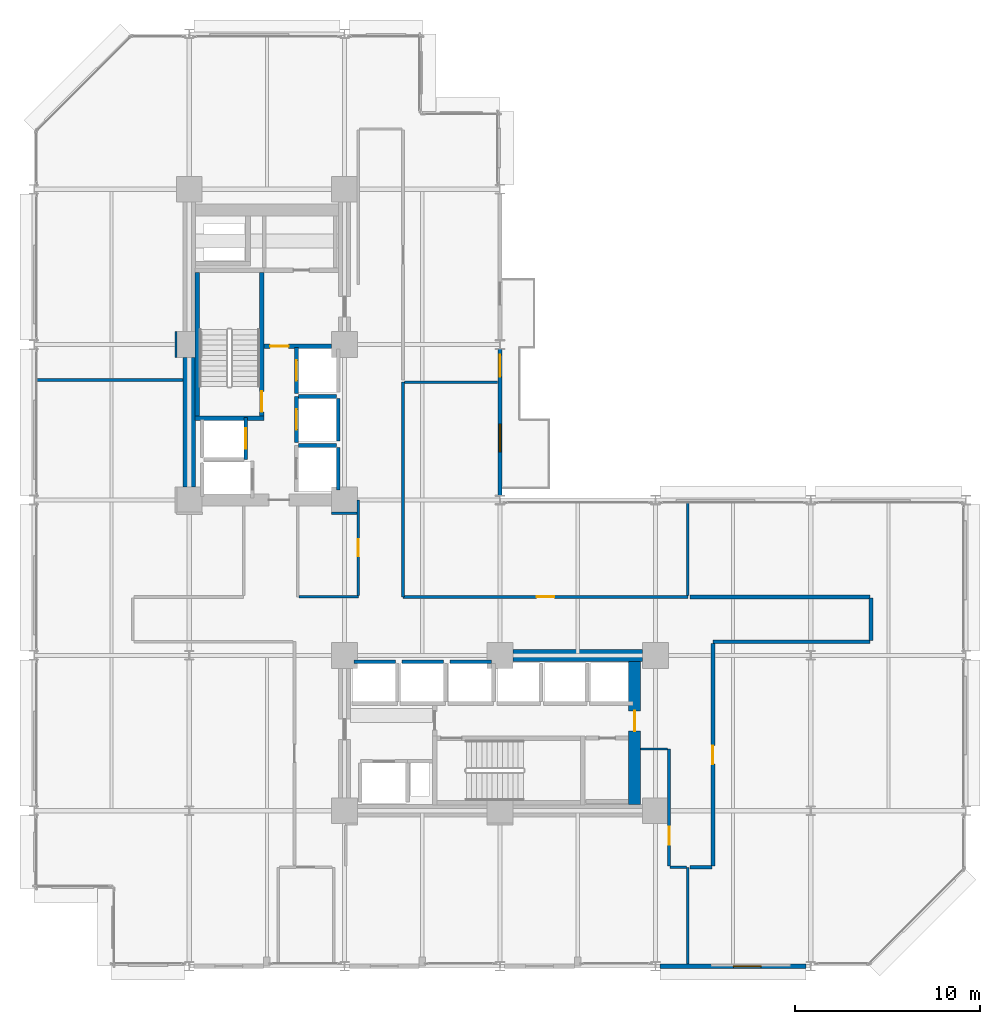
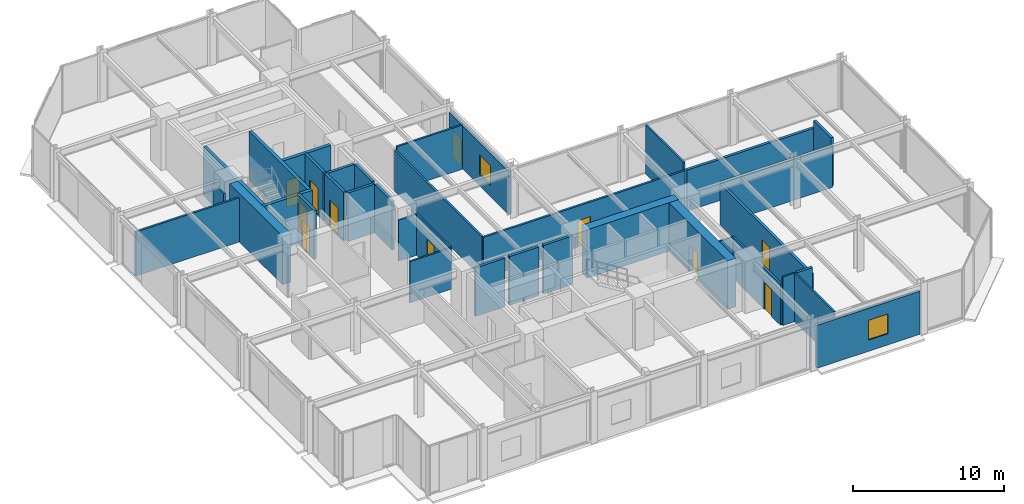
# One storey, part 21 of 25: 37 walls, 11 doors, 2 windows, 13 openings.
"""IFC4 building model written with IfcOpenShell, lengths in metres."""

from ifc_helpers import new_model, si_unit, direction, frame, frame_2d, origin, place, context, subcontext, project, spatial, rectangle, extrude, material, layer, layer_set, type_object, element, fill, save


model = new_model("IFC4")

# Units and contexts
model_context = context("Model", 3, precision=1e-05, world=origin(), true_north=direction((0.0, 1.0)))
body_context = subcontext(model_context, "Body", "Model", "MODEL_VIEW")
ifc_project = project(units=[si_unit("LENGTHUNIT", "METRE"), si_unit("AREAUNIT", "SQUARE_METRE"), si_unit("VOLUMEUNIT", "CUBIC_METRE"), si_unit("PLANEANGLEUNIT", "RADIAN"), si_unit("MASSUNIT", "GRAM", prefix="KILO")], contexts=[model_context])

# Site, building, storey
site_placement = place(None, origin())
site = spatial("IfcSite", under=ifc_project, at=site_placement, CompositionType="ELEMENT")
building_placement = place(site_placement, origin())
building = spatial("IfcBuilding", under=site, at=building_placement, Name="Nerrivon Quay Data Exchange", CompositionType="ELEMENT")
storey_placement = place(building_placement, frame((0.0, 0.0, 29.0)))
storey = spatial("IfcBuildingStorey", under=building, at=storey_placement, Name="L06", CompositionType="ELEMENT", Elevation=29.0)

# Wall, opening, window
ifc_material_1 = material(Name="Architectural terracotta precast concrete N50 (50 MPa)", Category="masonry")
ifc_layer_1 = layer(ifc_material_1, 0.239990234375)
ifc_layer_set_1 = layer_set([ifc_layer_1], Name="Architectural terracotta precast concrete N50 (50 MPa)")
wall_type_1 = type_object("IfcWallType", Name="EW-PREC-240", PredefinedType="STANDARD", material=ifc_layer_set_1)
wall_1_placement = place(storey_placement, frame((41.75, 0.0, 0.0), z_axis=(0.0, 0.0, 1.0), x_axis=(-1.0, 0.0, 0.0)))
wall_1 = element("IfcWall", 1, at=wall_1_placement, inside=storey, type_object=wall_type_1, Name="L06 Podium Precast Spandrel Wall 3", PredefinedType="STANDARD", context=body_context, shape_type="SweptSolid", body=[
    extrude(rectangle(XDim=7.89990234375, YDim=0.239990234375, at=frame_2d((3.949951171875, 0.0))), origin(), (0.0, 0.0, 1.0), 3.470947265625),
])
opening_1_placement = place(wall_1_placement, frame((2.4296875, 0.0, 0.89990234375)))
opening_1 = element("IfcOpeningElement", 2, at=opening_1_placement, cuts=wall_1, Name="Opening WN4", PredefinedType="OPENING", context=body_context, shape_type="SweptSolid", body=[
    extrude(rectangle(XDim=1.5, YDim=1.60009765625, at=frame_2d((0.75, 0.800048828125))), frame((0.0, 0.1298828125, 0.0), z_axis=(0.0, -1.0, 0.0), x_axis=(1.0, 0.0, 0.0)), (0.0, 0.0, 1.0), 0.260009765625),
])
ifc_material_2 = material(Name="Double-glazed low-E solar control glass", Category="glass")
window_type = type_object("IfcWindowType", Name="WIN-W4-1500x1600", PartitioningType="SINGLE_PANEL", PredefinedType="WINDOW", material=ifc_material_2)
window_1_placement = place(opening_1_placement, origin())
window_1 = element("IfcWindow", 3, at=window_1_placement, inside=storey, type_object=window_type, Name="L06 Solar Facade Window 3", OverallHeight=1.60009765625, OverallWidth=1.5, PartitioningType="SINGLE_PANEL", PredefinedType="WINDOW", context=body_context, shape_type="SweptSolid", body=[
    extrude(rectangle(XDim=1.5, YDim=1.60009765625, at=frame_2d((0.75, 0.800048828125))), frame((0.0, 0.030029296875, 0.0), z_axis=(0.0, -1.0, 0.0), x_axis=(1.0, 0.0, 0.0)), (0.0, 0.0, 1.0), 0.06005859375),
])
fill(opening_1, window_1)

# Wall, openings, door, window
wall_2_placement = place(storey_placement, frame((25.199951171875, 33.35009765625, 0.0), z_axis=(0.0, 0.0, 1.0), x_axis=(0.0, -1.0, 0.0)))
wall_2 = element("IfcWall", 4, at=wall_2_placement, inside=storey, type_object=wall_type_1, Name="L06 Terrace Host Wall 27", PredefinedType="STANDARD", context=body_context, shape_type="SweptSolid", body=[
    extrude(rectangle(XDim=7.900146484375, YDim=0.239990234375, at=frame_2d((3.9501953125, 0.0))), origin(), (0.0, 0.0, 1.0), 3.470947265625),
])
opening_2_placement = place(wall_2_placement, frame((0.300048828125, 0.0, 0.0)))
opening_2 = element("IfcOpeningElement", 5, at=opening_2_placement, cuts=wall_2, Name="Opening TD1", PredefinedType="OPENING", context=body_context, shape_type="SweptSolid", body=[
    extrude(rectangle(XDim=1.199951171875, YDim=2.199951171875, at=frame_2d((0.60009765625, 1.10009765625))), frame((0.0, 0.1298828125, 0.0), z_axis=(0.0, -1.0, 0.0), x_axis=(1.0, 0.0, 0.0)), (0.0, 0.0, 1.0), 0.260009765625),
])
opening_3_placement = place(wall_2_placement, frame((4.043701171875, 0.0, 0.89990234375)))
opening_3 = element("IfcOpeningElement", 6, at=opening_3_placement, cuts=wall_2, Name="Opening WN4", PredefinedType="OPENING", context=body_context, shape_type="SweptSolid", body=[
    extrude(rectangle(XDim=1.5, YDim=1.60009765625, at=frame_2d((0.75, 0.800048828125))), frame((0.0, 0.1298828125, 0.0), z_axis=(0.0, -1.0, 0.0), x_axis=(1.0, 0.0, 0.0)), (0.0, 0.0, 1.0), 0.260009765625),
])
door_type_1 = type_object("IfcDoorType", Name="DR-TERR-1200x2200", OperationType="NOTDEFINED", PredefinedType="DOOR", material=ifc_material_2)
door_1_placement = place(opening_2_placement, origin())
door_1 = element("IfcDoor", 7, at=door_1_placement, inside=storey, type_object=door_type_1, Name="L06 Outdoor Terrace Access Door 27", OperationType="SINGLE_SWING_RIGHT", OverallHeight=2.199951171875, OverallWidth=1.199951171875, PredefinedType="DOOR", context=body_context, shape_type="SweptSolid", body=[
    extrude(rectangle(XDim=1.199951171875, YDim=2.199951171875, at=frame_2d((0.60009765625, 1.10009765625))), frame((0.0, 0.02490234375, 0.0), z_axis=(0.0, -1.0, 0.0), x_axis=(1.0, 0.0, 0.0)), (0.0, 0.0, 1.0), 0.050048828125),
])
fill(opening_2, door_1)
window_2_placement = place(opening_3_placement, origin())
window_2 = element("IfcWindow", 8, at=window_2_placement, inside=storey, type_object=window_type, Name="L06 Terrace Side Window 27", OverallHeight=1.60009765625, OverallWidth=1.5, PartitioningType="SINGLE_PANEL", PredefinedType="WINDOW", context=body_context, shape_type="SweptSolid", body=[
    extrude(rectangle(XDim=1.5, YDim=1.60009765625, at=frame_2d((0.75, 0.800048828125))), frame((0.0, 0.030029296875, 0.0), z_axis=(0.0, -1.0, 0.0), x_axis=(1.0, 0.0, 0.0)), (0.0, 0.0, 1.0), 0.06005859375),
])
fill(opening_3, window_2)

# Wall
ifc_material_3 = material(Name="Concrete N80 (80 MPa)", Category="concrete")
ifc_layer_2 = layer(ifc_material_3, 0.64990234375)
ifc_layer_set_2 = layer_set([ifc_layer_2], Name="Concrete N80 (80 MPa)")
wall_type_2 = type_object("IfcWallType", Name="WALL-CW-850", PredefinedType="SHEAR", material=ifc_layer_set_2)
wall_3_placement = place(storey_placement, frame((8.39990234375, 25.89990234375, 0.0), z_axis=(0.0, 0.0, 1.0), x_axis=(0.0, 1.0, 0.0)))
element("IfcWall", 9, at=wall_3_placement, inside=storey, type_object=wall_type_2, Name="L06 West Split-Core Shear Wall WCW-W1", PredefinedType="SHEAR", context=body_context, shape_type="SweptSolid", body=[
    extrude(rectangle(XDim=7.0, YDim=0.64990234375, at=frame_2d((3.5, 0.0))), origin(), (0.0, 0.0, 1.0), 3.925048828125),
])

# Wall, opening, door
wall_4_placement = place(storey_placement, frame((32.47509765625, 8.72509765625, 0.0), z_axis=(0.0, 0.0, 1.0), x_axis=(0.0, 1.0, 0.0)))
wall_4 = element("IfcWall", 10, at=wall_4_placement, inside=storey, type_object=wall_type_2, Name="L06 East Split-Core Shear Wall ECW-E1", PredefinedType="SHEAR", context=body_context, shape_type="SweptSolid", body=[
    extrude(rectangle(XDim=7.75, YDim=0.64990234375, at=frame_2d((3.875, 0.0))), origin(), (0.0, 0.0, 1.0), 3.925048828125),
])
opening_4_placement = place(wall_4_placement, frame((3.97509765625, 0.0, 0.0)))
opening_4 = element("IfcOpeningElement", 11, at=opening_4_placement, cuts=wall_4, Name="Opening FD-120", PredefinedType="OPENING", context=body_context, shape_type="SweptSolid", body=[
    extrude(rectangle(XDim=1.10009765625, YDim=2.14990234375, at=frame_2d((0.550048828125, 1.074951171875))), frame((0.0, 0.3349609375, 0.0), z_axis=(0.0, -1.0, 0.0), x_axis=(1.0, 0.0, 0.0)), (0.0, 0.0, 1.0), 0.669921875),
])
ifc_material_4 = material(Name="Powder-coated galvanized steel sheet", Category="steel")
door_type_2 = type_object("IfcDoorType", Name="DR-FD120-1100", OperationType="NOTDEFINED", PredefinedType="DOOR", material=ifc_material_4)
door_2_placement = place(opening_4_placement, origin())
door_2 = element("IfcDoor", 12, at=door_2_placement, inside=storey, type_object=door_type_2, Name="L06 East Core Lobby Fire Door", OperationType="SINGLE_SWING_LEFT", OverallHeight=2.14990234375, OverallWidth=1.10009765625, PredefinedType="DOOR", context=body_context, shape_type="SweptSolid", body=[
    extrude(rectangle(XDim=1.10009765625, YDim=2.14990234375, at=frame_2d((0.550048828125, 1.074951171875))), frame((0.0, 0.02490234375, 0.0), z_axis=(0.0, -1.0, 0.0), x_axis=(1.0, 0.0, 0.0)), (0.0, 0.0, 1.0), 0.050048828125),
])
fill(opening_4, door_2)

# Wall
wall_5_placement = place(storey_placement, frame((25.89990234375, 16.800048828125, 0.0), z_axis=(0.0, 0.0, 1.0), x_axis=(1.0, 0.0, 0.0)))
element("IfcWall", 13, at=wall_5_placement, inside=storey, type_object=wall_type_2, Name="L06 East Split-Core Shear Wall ECW-N1", PredefinedType="SHEAR", context=body_context, shape_type="SweptSolid", body=[
    extrude(rectangle(XDim=7.0, YDim=0.64990234375, at=frame_2d((3.5, 0.0))), origin(), (0.0, 0.0, 1.0), 3.925048828125),
])

# Wall, opening, door
ifc_material_5 = material(Name="Gypsum plasterboard on cold-formed framing", Category="gypsum")
ifc_layer_3 = layer(ifc_material_5, 0.199951171875)
ifc_layer_set_3 = layer_set([ifc_layer_3], Name="Gypsum plasterboard on cold-formed framing")
wall_type_3 = type_object("IfcWallType", Name="WALL-FW-200", PredefinedType="PARTITIONING", material=ifc_layer_set_3)
wall_6_placement = place(storey_placement, frame((11.449951171875, 27.39990234375, 0.0), z_axis=(0.0, 0.0, 1.0), x_axis=(0.0, 1.0, 0.0)))
wall_6 = element("IfcWall", 14, at=wall_6_placement, inside=storey, type_object=wall_type_3, Name="L06 Lift Front Wall FFL-1", PredefinedType="PARTITIONING", context=body_context, shape_type="SweptSolid", body=[
    extrude(rectangle(XDim=2.25, YDim=0.199951171875, at=frame_2d((1.125, 0.0))), origin(), (0.0, 0.0, 1.0), 3.925048828125),
])
opening_5_placement = place(wall_6_placement, frame((0.574951171875, 0.0, 0.0)))
opening_5 = element("IfcOpeningElement", 15, at=opening_5_placement, cuts=wall_6, Name="Opening LD-120", PredefinedType="OPENING", context=body_context, shape_type="SweptSolid", body=[
    extrude(rectangle(XDim=1.10009765625, YDim=2.199951171875, at=frame_2d((0.550048828125, 1.10009765625))), frame((0.0, 0.10986328125, 0.0), z_axis=(0.0, -1.0, 0.0), x_axis=(1.0, 0.0, 0.0)), (0.0, 0.0, 1.0), 0.219970703125),
])
door_type_3 = type_object("IfcDoorType", Name="DR-LIFT-LD120", OperationType="DOUBLE_DOOR_SLIDING", PredefinedType="DOOR", material=ifc_material_4)
door_3_placement = place(opening_5_placement, origin())
door_3 = element("IfcDoor", 16, at=door_3_placement, inside=storey, type_object=door_type_3, Name="L06 Lift Landing Sliding Door FFL-1", OperationType="DOUBLE_DOOR_SLIDING", OverallHeight=2.199951171875, OverallWidth=1.10009765625, PredefinedType="DOOR", context=body_context, shape_type="SweptSolid", body=[
    extrude(rectangle(XDim=1.10009765625, YDim=2.199951171875, at=frame_2d((0.550048828125, 1.10009765625))), frame((0.0, 0.02490234375, 0.0), z_axis=(0.0, -1.0, 0.0), x_axis=(1.0, 0.0, 0.0)), (0.0, 0.0, 1.0), 0.050048828125),
])
fill(opening_5, door_3)

# Walls
wall_7_placement = place(storey_placement, frame((16.449951171875, 25.75, 0.0), z_axis=(0.0, 0.0, 1.0), x_axis=(0.0, 1.0, 0.0)))
element("IfcWall", 17, at=wall_7_placement, inside=storey, type_object=wall_type_3, Name="L06 Lift Shaft Wall PL1 EAST", PredefinedType="PARTITIONING", context=body_context, shape_type="SweptSolid", body=[
    extrude(rectangle(XDim=2.300048828125, YDim=0.199951171875, at=frame_2d((1.14990234375, 0.0))), origin(), (0.0, 0.0, 1.0), 3.925048828125),
])
wall_8_placement = place(storey_placement, frame((14.300048828125, 28.14990234375, 0.0), z_axis=(0.0, 0.0, 1.0), x_axis=(1.0, 0.0, 0.0)))
element("IfcWall", 18, at=wall_8_placement, inside=storey, type_object=wall_type_3, Name="L06 Lift Shaft Wall PL1 NORTH", PredefinedType="PARTITIONING", context=body_context, shape_type="SweptSolid", body=[
    extrude(rectangle(XDim=2.050048828125, YDim=0.199951171875, at=frame_2d((1.02490234375, 0.0))), origin(), (0.0, 0.0, 1.0), 3.925048828125),
])

# Wall, opening, door
wall_9_placement = place(storey_placement, frame((14.199951171875, 28.300048828125, 0.0), z_axis=(0.0, 0.0, 1.0), x_axis=(0.0, 1.0, 0.0)))
wall_9 = element("IfcWall", 19, at=wall_9_placement, inside=storey, type_object=wall_type_3, Name="L06 Lift Front Wall PL2", PredefinedType="PARTITIONING", context=body_context, shape_type="SweptSolid", body=[
    extrude(rectangle(XDim=2.5, YDim=0.199951171875, at=frame_2d((1.25, 0.0))), origin(), (0.0, 0.0, 1.0), 3.925048828125),
])
opening_6_placement = place(wall_9_placement, frame((0.699951171875, 0.0, 0.0)))
opening_6 = element("IfcOpeningElement", 20, at=opening_6_placement, cuts=wall_9, Name="Opening LD-120", PredefinedType="OPENING", context=body_context, shape_type="SweptSolid", body=[
    extrude(rectangle(XDim=1.10009765625, YDim=2.199951171875, at=frame_2d((0.550048828125, 1.10009765625))), frame((0.0, 0.10986328125, 0.0), z_axis=(0.0, -1.0, 0.0), x_axis=(1.0, 0.0, 0.0)), (0.0, 0.0, 1.0), 0.219970703125),
])
door_4_placement = place(opening_6_placement, origin())
door_4 = element("IfcDoor", 21, at=door_4_placement, inside=storey, type_object=door_type_3, Name="L06 Lift Landing Sliding Door PL2", OperationType="DOUBLE_DOOR_SLIDING", OverallHeight=2.199951171875, OverallWidth=1.10009765625, PredefinedType="DOOR", context=body_context, shape_type="SweptSolid", body=[
    extrude(rectangle(XDim=1.10009765625, YDim=2.199951171875, at=frame_2d((0.550048828125, 1.10009765625))), frame((0.0, 0.02490234375, 0.0), z_axis=(0.0, -1.0, 0.0), x_axis=(1.0, 0.0, 0.0)), (0.0, 0.0, 1.0), 0.050048828125),
])
fill(opening_6, door_4)

# Walls
wall_10_placement = place(storey_placement, frame((16.449951171875, 28.39990234375, 0.0), z_axis=(0.0, 0.0, 1.0), x_axis=(0.0, 1.0, 0.0)))
element("IfcWall", 22, at=wall_10_placement, inside=storey, type_object=wall_type_3, Name="L06 Lift Shaft Wall PL2 EAST", PredefinedType="PARTITIONING", context=body_context, shape_type="SweptSolid", body=[
    extrude(rectangle(XDim=2.300048828125, YDim=0.199951171875, at=frame_2d((1.14990234375, 0.0))), origin(), (0.0, 0.0, 1.0), 3.925048828125),
])
wall_11_placement = place(storey_placement, frame((14.300048828125, 30.800048828125, 0.0), z_axis=(0.0, 0.0, 1.0), x_axis=(1.0, 0.0, 0.0)))
element("IfcWall", 23, at=wall_11_placement, inside=storey, type_object=wall_type_3, Name="L06 Lift Shaft Wall PL2 NORTH", PredefinedType="PARTITIONING", context=body_context, shape_type="SweptSolid", body=[
    extrude(rectangle(XDim=2.050048828125, YDim=0.199951171875, at=frame_2d((1.02490234375, 0.0))), origin(), (0.0, 0.0, 1.0), 3.925048828125),
])

# Wall, opening, door
wall_12_placement = place(storey_placement, frame((14.199951171875, 30.949951171875, 0.0), z_axis=(0.0, 0.0, 1.0), x_axis=(0.0, 1.0, 0.0)))
wall_12 = element("IfcWall", 24, at=wall_12_placement, inside=storey, type_object=wall_type_3, Name="L06 Lift Front Wall PL3", PredefinedType="PARTITIONING", context=body_context, shape_type="SweptSolid", body=[
    extrude(rectangle(XDim=2.5, YDim=0.199951171875, at=frame_2d((1.25, 0.0))), origin(), (0.0, 0.0, 1.0), 3.925048828125),
])
opening_7_placement = place(wall_12_placement, frame((0.699951171875, 0.0, 0.0)))
opening_7 = element("IfcOpeningElement", 25, at=opening_7_placement, cuts=wall_12, Name="Opening LD-120", PredefinedType="OPENING", context=body_context, shape_type="SweptSolid", body=[
    extrude(rectangle(XDim=1.10009765625, YDim=2.199951171875, at=frame_2d((0.550048828125, 1.10009765625))), frame((0.0, 0.10986328125, 0.0), z_axis=(0.0, -1.0, 0.0), x_axis=(1.0, 0.0, 0.0)), (0.0, 0.0, 1.0), 0.219970703125),
])
door_5_placement = place(opening_7_placement, origin())
door_5 = element("IfcDoor", 26, at=door_5_placement, inside=storey, type_object=door_type_3, Name="L06 Lift Landing Sliding Door PL3", OperationType="DOUBLE_DOOR_SLIDING", OverallHeight=2.199951171875, OverallWidth=1.10009765625, PredefinedType="DOOR", context=body_context, shape_type="SweptSolid", body=[
    extrude(rectangle(XDim=1.10009765625, YDim=2.199951171875, at=frame_2d((0.550048828125, 1.10009765625))), frame((0.0, 0.02490234375, 0.0), z_axis=(0.0, -1.0, 0.0), x_axis=(1.0, 0.0, 0.0)), (0.0, 0.0, 1.0), 0.050048828125),
])
fill(opening_7, door_5)

# Walls
for number, where, z_axis, x_axis, name in (
    (27, (17.300048828125, 16.449951171875, 0.0), (0.0, 0.0, 1.0), (1.0, 0.0, 0.0), "L06 Lift Shaft Wall PL4 NORTH"),
    (28, (19.89990234375, 16.449951171875, 0.0), (0.0, 0.0, 1.0), (1.0, 0.0, 0.0), "L06 Lift Shaft Wall PL5 NORTH"),
    (29, (22.5, 16.449951171875, 0.0), (0.0, 0.0, 1.0), (1.0, 0.0, 0.0), "L06 Lift Shaft Wall PL6 NORTH"),
):
    element("IfcWall", number, at=place(storey_placement, frame(where, z_axis=z_axis, x_axis=x_axis)), inside=storey, type_object=wall_type_3, Name=name, PredefinedType="PARTITIONING", context=body_context, shape_type="SweptSolid", body=[
        extrude(rectangle(XDim=2.25, YDim=0.199951171875, at=frame_2d((1.125, 0.0))), origin(), (0.0, 0.0, 1.0), 3.925048828125),
    ])
wall_13_placement = place(storey_placement, frame((36.64990234375, 5.340087890625, 0.0), z_axis=(0.0, 0.0, 1.0), x_axis=(-1.0, 0.0, 0.0)))
element("IfcWall", 30, at=wall_13_placement, inside=storey, type_object=wall_type_3, Name="L06 Partition Colocation Data Workspace 1", PredefinedType="PARTITIONING", context=body_context, shape_type="SweptSolid", body=[
    extrude(rectangle(XDim=1.16943359375, YDim=0.199951171875, at=frame_2d((0.584716796875, 0.0))), origin(), (0.0, 0.0, 1.0), 3.925048828125),
])
wall_14_placement = place(storey_placement, frame((35.48046875, 19.959716796875, 0.0), z_axis=(0.0, 0.0, 1.0), x_axis=(1.0, 0.0, 0.0)))
element("IfcWall", 31, at=wall_14_placement, inside=storey, type_object=wall_type_3, Name="L06 Partition Colocation Data Workspace 1", PredefinedType="PARTITIONING", context=body_context, shape_type="SweptSolid", body=[
    extrude(rectangle(XDim=9.725341796875, YDim=0.199951171875, at=frame_2d((4.86279296875, 0.0))), origin(), (0.0, 0.0, 1.0), 3.322998046875),
])
wall_15_placement = place(storey_placement, frame((45.260009765625, 19.89990234375, 0.0), z_axis=(0.0, 0.0, 1.0), x_axis=(-0.000105876124, -0.999999994395, 0.0)))
element("IfcWall", 32, at=wall_15_placement, inside=storey, type_object=wall_type_3, Name="L06 Partition Colocation Data Workspace 1", PredefinedType="PARTITIONING", context=body_context, shape_type="SweptSolid", body=[
    extrude(rectangle(XDim=2.305908203125, YDim=0.199951171875, at=frame_2d((1.15283203125, 0.0))), origin(), (0.0, 0.0, 1.0), 3.925048828125),
])
wall_16_placement = place(storey_placement, frame((45.199951171875, 17.5400390625, 0.0), z_axis=(0.0, 0.0, 1.0), x_axis=(-1.0, 0.0, 0.0)))
element("IfcWall", 33, at=wall_16_placement, inside=storey, type_object=wall_type_3, Name="L06 Partition Colocation Data Workspace 1", PredefinedType="PARTITIONING", context=body_context, shape_type="SweptSolid", body=[
    extrude(rectangle(XDim=8.489990234375, YDim=0.199951171875, at=frame_2d((4.2451171875, 0.0))), origin(), (0.0, 0.0, 1.0), 3.322998046875),
])

# Wall, opening, door
wall_17_placement = place(storey_placement, frame((36.7099609375, 17.43603515625, 0.0), z_axis=(0.0, 0.0, 1.0), x_axis=(0.0, -1.0, 0.0)))
wall_17 = element("IfcWall", 34, at=wall_17_placement, inside=storey, type_object=wall_type_3, Name="L06 Partition Colocation Data Workspace 1", PredefinedType="PARTITIONING", context=body_context, shape_type="SweptSolid", body=[
    extrude(rectangle(XDim=12.0361328125, YDim=0.199951171875, at=frame_2d((6.01806640625, 0.0))), origin(), (0.0, 0.0, 1.0), 3.31298828125),
])
opening_8_placement = place(wall_17_placement, frame((5.51806640625, 0.0, 0.0)))
opening_8 = element("IfcOpeningElement", 35, at=opening_8_placement, cuts=wall_17, Name="Opening FD-60", PredefinedType="OPENING", context=body_context, shape_type="SweptSolid", body=[
    extrude(rectangle(XDim=1.0, YDim=2.14990234375, at=frame_2d((0.5, 1.074951171875))), frame((0.0, 0.10986328125, 0.0), z_axis=(0.0, -1.0, 0.0), x_axis=(1.0, 0.0, 0.0)), (0.0, 0.0, 1.0), 0.219970703125),
])
ifc_material_6 = material(Name="Engineered hardwood timber", Category="wood")
door_type_4 = type_object("IfcDoorType", Name="DR-FD60-1000", OperationType="NOTDEFINED", PredefinedType="DOOR", material=ifc_material_6)
door_6_placement = place(opening_8_placement, origin())
door_6 = element("IfcDoor", 36, at=door_6_placement, inside=storey, type_object=door_type_4, Name="L06 Door Colocation Data Workspace 1", OperationType="SINGLE_SWING_RIGHT", OverallHeight=2.14990234375, OverallWidth=1.0, PredefinedType="DOOR", context=body_context, shape_type="SweptSolid", body=[
    extrude(rectangle(XDim=1.0, YDim=2.14990234375, at=frame_2d((0.5, 1.074951171875))), frame((0.0, 0.02490234375, 0.0), z_axis=(0.0, -1.0, 0.0), x_axis=(1.0, 0.0, 0.0)), (0.0, 0.0, 1.0), 0.050048828125),
])
fill(opening_8, door_6)

# Walls
ifc_layer_4 = layer(ifc_material_5, 0.1201171875)
ifc_layer_set_4 = layer_set([ifc_layer_4], Name="Gypsum plasterboard on cold-formed framing")
wall_type_4 = type_object("IfcWallType", Name="WALL-PT-120", PredefinedType="PARTITIONING", material=ifc_layer_set_4)
wall_18_placement = place(storey_placement, frame((17.468505859375, 24.48046875, 0.0), z_axis=(0.0, 0.0, 1.0), x_axis=(-0.99999993688, 0.000355302873, 0.0)))
element("IfcWall", 37, at=wall_18_placement, inside=storey, type_object=wall_type_4, Name="L06 Partition Public Washrooms", PredefinedType="PARTITIONING", context=body_context, shape_type="SweptSolid", body=[
    extrude(rectangle(XDim=1.374267578125, YDim=0.1201171875, at=frame_2d((0.68701171875, 0.0))), origin(), (0.0, 0.0, 1.0), 3.322998046875),
])
wall_19_placement = place(storey_placement, frame((35.288818359375, 5.340087890625, 0.0), z_axis=(0.0, 0.0, 1.0), x_axis=(-1.0, 0.0, 0.0)))
element("IfcWall", 38, at=wall_19_placement, inside=storey, type_object=wall_type_4, Name="L06 Partition Technical Library", PredefinedType="PARTITIONING", context=body_context, shape_type="SweptSolid", body=[
    extrude(rectangle(XDim=0.888916015625, YDim=0.1201171875, at=frame_2d((0.4443359375, 0.0))), origin(), (0.0, 0.0, 1.0), 3.925048828125),
])
wall_20_placement = place(storey_placement, frame((34.260986328125, 11.739990234375, 0.0), z_axis=(0.0, 0.0, 1.0), x_axis=(-1.0, 0.0, 0.0)))
element("IfcWall", 39, at=wall_20_placement, inside=storey, type_object=wall_type_4, Name="L06 Partition Technical Library", PredefinedType="PARTITIONING", context=body_context, shape_type="SweptSolid", body=[
    extrude(rectangle(XDim=1.45703125, YDim=0.1201171875, at=frame_2d((0.728515625, 0.0))), origin(), (0.0, 0.0, 1.0), 3.322998046875),
])
wall_21_placement = place(storey_placement, frame((7.680419921875, 32.89599609375, 0.0), z_axis=(0.0, 0.0, 1.0), x_axis=(-0.000347765585, 0.99999993953, 0.0)))
element("IfcWall", 40, at=wall_21_placement, inside=storey, type_object=wall_type_4, Name="L06 Partition Cloud Compute Workspace 1", PredefinedType="PARTITIONING", context=body_context, shape_type="SweptSolid", body=[
    extrude(rectangle(XDim=1.404052734375, YDim=0.1201171875, at=frame_2d((0.7021484375, 0.0))), origin(), (0.0, 0.0, 1.0), 3.31298828125),
])
ifc_layer_5 = layer(ifc_material_5, 0.135009765625)
ifc_layer_set_5 = layer_set([ifc_layer_5], Name="Gypsum plasterboard on cold-formed framing")
wall_type_5 = type_object("IfcWallType", Name="WALL-PT-135", PredefinedType="PARTITIONING", material=ifc_layer_set_5)
wall_22_placement = place(storey_placement, frame((14.33154296875, 19.9599609375, 0.0), z_axis=(0.0, 0.0, 1.0), x_axis=(1.0, 0.0, 0.0)))
element("IfcWall", 41, at=wall_22_placement, inside=storey, type_object=wall_type_5, Name="L06 Partition Public Washrooms", PredefinedType="PARTITIONING", context=body_context, shape_type="SweptSolid", body=[
    extrude(rectangle(XDim=3.20849609375, YDim=0.135009765625, at=frame_2d((1.604248046875, 0.0))), origin(), (0.0, 0.0, 1.0), 3.322998046875),
])

# Wall, opening, door
wall_23_placement = place(storey_placement, frame((17.5400390625, 20.031494140625, 0.0), z_axis=(0.0, 0.0, 1.0), x_axis=(0.0, 1.0, 0.0)))
wall_23 = element("IfcWall", 42, at=wall_23_placement, inside=storey, type_object=wall_type_5, Name="L06 Partition Public Washrooms", PredefinedType="PARTITIONING", context=body_context, shape_type="SweptSolid", body=[
    extrude(rectangle(XDim=5.16845703125, YDim=0.135009765625, at=frame_2d((2.584228515625, 0.0))), origin(), (0.0, 0.0, 1.0), 3.31298828125),
])
opening_9_placement = place(wall_23_placement, frame((2.124267578125, 0.0, 0.0)))
opening_9 = element("IfcOpeningElement", 43, at=opening_9_placement, cuts=wall_23, Name="Opening D-WC", PredefinedType="OPENING", context=body_context, shape_type="SweptSolid", body=[
    extrude(rectangle(XDim=0.919921875, YDim=2.10009765625, at=frame_2d((0.4599609375, 1.050048828125))), frame((0.0, 0.077392578125, 0.0), z_axis=(0.0, -1.0, 0.0), x_axis=(1.0, 0.0, 0.0)), (0.0, 0.0, 1.0), 0.155029296875),
])
door_type_5 = type_object("IfcDoorType", Name="DR-WC-920", OperationType="NOTDEFINED", PredefinedType="DOOR", material=ifc_material_6)
door_7_placement = place(opening_9_placement, origin())
door_7 = element("IfcDoor", 44, at=door_7_placement, inside=storey, type_object=door_type_5, Name="L06 Door Public Washrooms", OperationType="SINGLE_SWING_RIGHT", OverallHeight=2.10009765625, OverallWidth=0.919921875, PredefinedType="DOOR", context=body_context, shape_type="SweptSolid", body=[
    extrude(rectangle(XDim=0.919921875, YDim=2.10009765625, at=frame_2d((0.4599609375, 1.050048828125))), frame((0.0, 0.02490234375, 0.0), z_axis=(0.0, -1.0, 0.0), x_axis=(1.0, 0.0, 0.0)), (0.0, 0.0, 1.0), 0.050048828125),
])
fill(opening_9, door_7)

# Walls
wall_24_placement = place(storey_placement, frame((35.3603515625, 20.038818359375, 0.0), z_axis=(0.0, 0.0, 1.0), x_axis=(0.0, 1.0, 0.0)))
element("IfcWall", 45, at=wall_24_placement, inside=storey, type_object=wall_type_5, Name="L06 Partition Staff Pantry", PredefinedType="PARTITIONING", context=body_context, shape_type="SweptSolid", body=[
    extrude(rectangle(XDim=4.9921875, YDim=0.135009765625, at=frame_2d((2.49609375, 0.0))), origin(), (0.0, 0.0, 1.0), 3.925048828125),
])
wall_25_placement = place(storey_placement, frame((25.075927734375, 31.57275390625, 0.0), z_axis=(0.0, 0.0, 1.0), x_axis=(-1.0, 0.0, 0.0)))
element("IfcWall", 46, at=wall_25_placement, inside=storey, type_object=wall_type_5, Name="L06 Partition Staff Pantry", PredefinedType="PARTITIONING", context=body_context, shape_type="SweptSolid", body=[
    extrude(rectangle(XDim=5.036865234375, YDim=0.135009765625, at=frame_2d((2.5185546875, 0.0))), origin(), (0.0, 0.0, 1.0), 3.56591796875),
])
wall_26_placement = place(storey_placement, frame((35.3603515625, 0.1240234375, 0.0), z_axis=(0.0, 0.0, 1.0), x_axis=(0.0, 1.0, 0.0)))
element("IfcWall", 47, at=wall_26_placement, inside=storey, type_object=wall_type_5, Name="L06 Partition Technical Library", PredefinedType="PARTITIONING", context=body_context, shape_type="SweptSolid", body=[
    extrude(rectangle(XDim=5.216064453125, YDim=0.135009765625, at=frame_2d((2.60791015625, 0.0))), origin(), (0.0, 0.0, 1.0), 3.925048828125),
])
ifc_layer_6 = layer(ifc_material_5, 0.14990234375)
ifc_layer_set_6 = layer_set([ifc_layer_6], Name="Gypsum plasterboard on cold-formed framing")
wall_type_6 = type_object("IfcWallType", Name="WALL-PT-150", PredefinedType="PARTITIONING", material=ifc_layer_set_6)
wall_27_placement = place(storey_placement, frame((19.9599609375, 31.57275390625, 0.0), z_axis=(0.0, 0.0, 1.0), x_axis=(0.0, -1.0, 0.0)))
element("IfcWall", 48, at=wall_27_placement, inside=storey, type_object=wall_type_6, Name="L06 Partition Staff Pantry", PredefinedType="PARTITIONING", context=body_context, shape_type="SweptSolid", body=[
    extrude(rectangle(XDim=11.61279296875, YDim=0.14990234375, at=frame_2d((5.806396484375, 0.0))), origin(), (0.0, 0.0, 1.0), 3.31298828125),
])

# Wall, opening, door
wall_28_placement = place(storey_placement, frame((19.9599609375, 19.9599609375, 0.0), z_axis=(0.0, 0.0, 1.0), x_axis=(0.999999999874, -1.5852885e-05, 0.0)))
wall_28 = element("IfcWall", 49, at=wall_28_placement, inside=storey, type_object=wall_type_6, Name="L06 Partition Staff Pantry", PredefinedType="PARTITIONING", context=body_context, shape_type="SweptSolid", body=[
    extrude(rectangle(XDim=15.400390625, YDim=0.14990234375, at=frame_2d((7.7001953125, 0.0))), origin(), (0.0, 0.0, 1.0), 3.322998046875),
])
opening_10_placement = place(wall_28_placement, frame((7.22509765625, 0.0, 0.0)))
opening_10 = element("IfcOpeningElement", 50, at=opening_10_placement, cuts=wall_28, Name="Opening D-01", PredefinedType="OPENING", context=body_context, shape_type="SweptSolid", body=[
    extrude(rectangle(XDim=0.949951171875, YDim=2.14990234375, at=frame_2d((0.47509765625, 1.074951171875))), frame((0.0, 0.0849609375, 0.0), z_axis=(0.0, -1.0, 0.0), x_axis=(1.0, 0.0, 0.0)), (0.0, 0.0, 1.0), 0.169921875),
])
door_type_6 = type_object("IfcDoorType", Name="DR-INT-950", OperationType="NOTDEFINED", PredefinedType="DOOR", material=ifc_material_6)
door_8_placement = place(opening_10_placement, origin())
door_8 = element("IfcDoor", 51, at=door_8_placement, inside=storey, type_object=door_type_6, Name="L06 Door Staff Pantry", OperationType="SINGLE_SWING_LEFT", OverallHeight=2.14990234375, OverallWidth=0.949951171875, PredefinedType="DOOR", context=body_context, shape_type="SweptSolid", body=[
    extrude(rectangle(XDim=0.949951171875, YDim=2.14990234375, at=frame_2d((0.47509765625, 1.074951171875))), frame((0.0, 0.02490234375, 0.0), z_axis=(0.0, -1.0, 0.0), x_axis=(1.0, 0.0, 0.0)), (0.0, 0.0, 1.0), 0.050048828125),
])
fill(opening_10, door_8)

wall_29_placement = place(storey_placement, frame((34.340087890625, 5.39990234375, 0.0), z_axis=(0.0, 0.0, 1.0), x_axis=(0.0, 1.0, 0.0)))
wall_29 = element("IfcWall", 52, at=wall_29_placement, inside=storey, type_object=wall_type_6, Name="L06 Partition Technical Library", PredefinedType="PARTITIONING", context=body_context, shape_type="SweptSolid", body=[
    extrude(rectangle(XDim=6.340087890625, YDim=0.14990234375, at=frame_2d((3.169921875, 0.0))), origin(), (0.0, 0.0, 1.0), 3.31298828125),
])
opening_11_placement = place(wall_29_placement, frame((1.17333984375, 0.0, 0.0)))
opening_11 = element("IfcOpeningElement", 53, at=opening_11_placement, cuts=wall_29, Name="Opening D-01", PredefinedType="OPENING", context=body_context, shape_type="SweptSolid", body=[
    extrude(rectangle(XDim=0.949951171875, YDim=2.14990234375, at=frame_2d((0.47509765625, 1.074951171875))), frame((0.0, 0.0849609375, 0.0), z_axis=(0.0, -1.0, 0.0), x_axis=(1.0, 0.0, 0.0)), (0.0, 0.0, 1.0), 0.169921875),
])
door_9_placement = place(opening_11_placement, origin())
door_9 = element("IfcDoor", 54, at=door_9_placement, inside=storey, type_object=door_type_6, Name="L06 Door Technical Library", OperationType="SINGLE_SWING_RIGHT", OverallHeight=2.14990234375, OverallWidth=0.949951171875, PredefinedType="DOOR", context=body_context, shape_type="SweptSolid", body=[
    extrude(rectangle(XDim=0.949951171875, YDim=2.14990234375, at=frame_2d((0.47509765625, 1.074951171875))), frame((0.0, 0.02490234375, 0.0), z_axis=(0.0, -1.0, 0.0), x_axis=(1.0, 0.0, 0.0)), (0.0, 0.0, 1.0), 0.050048828125),
])
fill(opening_11, door_9)

# Walls
wall_30_placement = place(storey_placement, frame((0.1689453125, 31.69287109375, 0.0), z_axis=(0.0, 0.0, 1.0), x_axis=(1.0, 0.0, 0.0)))
element("IfcWall", 55, at=wall_30_placement, inside=storey, type_object=wall_type_6, Name="L06 Partition Cloud Compute Workspace 1", PredefinedType="PARTITIONING", context=body_context, shape_type="SweptSolid", body=[
    extrude(rectangle(XDim=7.902099609375, YDim=0.14990234375, at=frame_2d((3.951171875, 0.0))), origin(), (0.0, 0.0, 1.0), 3.56591796875),
])
ifc_material_7 = material(Name="Concrete N50 (50 MPa)", Category="concrete")
ifc_layer_7 = layer(ifc_material_7, 0.25)
ifc_layer_set_7 = layer_set([ifc_layer_7], Name="Concrete N50 (50 MPa)")
wall_type_7 = type_object("IfcWallType", Name="WALL-SW-250", PredefinedType="SHEAR", material=ifc_layer_set_7)
wall_31_placement = place(storey_placement, frame((12.449951171875, 29.625, 0.0), z_axis=(0.0, 0.0, 1.0), x_axis=(-1.0, 0.0, 0.0)))
element("IfcWall", 56, at=wall_31_placement, inside=storey, type_object=wall_type_7, Name="L06 ST01 Structural Stair Core Wall NEAR", PredefinedType="SHEAR", context=body_context, shape_type="SweptSolid", body=[
    extrude(rectangle(XDim=3.75, YDim=0.25, at=frame_2d((1.875, 0.0))), origin(), (0.0, 0.0, 1.0), 3.925048828125),
])

# Wall, opening, door
wall_32_placement = place(storey_placement, frame((12.324951171875, 29.75, 0.0), z_axis=(0.0, 0.0, 1.0), x_axis=(0.0, 1.0, 0.0)))
wall_32 = element("IfcWall", 57, at=wall_32_placement, inside=storey, type_object=wall_type_7, Name="L06 ST01 Structural Stair Core Wall LEFT", PredefinedType="SHEAR", context=body_context, shape_type="SweptSolid", body=[
    extrude(rectangle(XDim=7.75, YDim=0.25, at=frame_2d((3.875, 0.0))), origin(), (0.0, 0.0, 1.0), 3.925048828125),
])
opening_12_placement = place(wall_32_placement, frame((0.219970703125, 0.0, 0.0)))
opening_12 = element("IfcOpeningElement", 58, at=opening_12_placement, cuts=wall_32, Name="Opening FD-120", PredefinedType="OPENING", context=body_context, shape_type="SweptSolid", body=[
    extrude(rectangle(XDim=1.10009765625, YDim=2.14990234375, at=frame_2d((0.550048828125, 1.074951171875))), frame((0.0, 0.135009765625, 0.0), z_axis=(0.0, -1.0, 0.0), x_axis=(1.0, 0.0, 0.0)), (0.0, 0.0, 1.0), 0.27001953125),
])
door_10_placement = place(opening_12_placement, origin())
door_10 = element("IfcDoor", 59, at=door_10_placement, inside=storey, type_object=door_type_2, Name="L06 Protected Stair Door ST01", OperationType="SINGLE_SWING_LEFT", OverallHeight=2.14990234375, OverallWidth=1.10009765625, PredefinedType="DOOR", context=body_context, shape_type="SweptSolid", body=[
    extrude(rectangle(XDim=1.10009765625, YDim=2.14990234375, at=frame_2d((0.550048828125, 1.074951171875))), frame((0.0, 0.02490234375, 0.0), z_axis=(0.0, -1.0, 0.0), x_axis=(1.0, 0.0, 0.0)), (0.0, 0.0, 1.0), 0.050048828125),
])
fill(opening_12, door_10)

# Wall
wall_33_placement = place(storey_placement, frame((8.824951171875, 29.75, 0.0), z_axis=(0.0, 0.0, 1.0), x_axis=(0.0, 1.0, 0.0)))
element("IfcWall", 60, at=wall_33_placement, inside=storey, type_object=wall_type_7, Name="L06 ST01 Structural Stair Core Wall RIGHT", PredefinedType="SHEAR", context=body_context, shape_type="SweptSolid", body=[
    extrude(rectangle(XDim=7.75, YDim=0.25, at=frame_2d((3.875, 0.0))), origin(), (0.0, 0.0, 1.0), 3.925048828125),
])

# Wall, opening, door
wall_34_placement = place(storey_placement, frame((12.449951171875, 33.52001953125, 0.0), z_axis=(0.0, 0.0, 1.0), x_axis=(1.0, 0.0, 0.0)))
wall_34 = element("IfcWall", 61, at=wall_34_placement, inside=storey, type_object=wall_type_7, Name="L06 West Lobby Smoke-Stop Wall", PredefinedType="SHEAR", context=body_context, shape_type="SweptSolid", body=[
    extrude(rectangle(XDim=3.650146484375, YDim=0.25, at=frame_2d((1.8251953125, 0.0))), origin(), (0.0, 0.0, 1.0), 3.925048828125),
])
opening_13_placement = place(wall_34_placement, frame((0.320068359375, 0.0, 0.0)))
opening_13 = element("IfcOpeningElement", 62, at=opening_13_placement, cuts=wall_34, Name="Opening FD-60", PredefinedType="OPENING", context=body_context, shape_type="SweptSolid", body=[
    extrude(rectangle(XDim=1.0, YDim=2.14990234375, at=frame_2d((0.5, 1.074951171875))), frame((0.0, 0.135009765625, 0.0), z_axis=(0.0, -1.0, 0.0), x_axis=(1.0, 0.0, 0.0)), (0.0, 0.0, 1.0), 0.27001953125),
])
door_11_placement = place(opening_13_placement, origin())
door_11 = element("IfcDoor", 63, at=door_11_placement, inside=storey, type_object=door_type_4, Name="L06 West Firefighting Lobby Fire Door", OperationType="SINGLE_SWING_LEFT", OverallHeight=2.14990234375, OverallWidth=1.0, PredefinedType="DOOR", context=body_context, shape_type="SweptSolid", body=[
    extrude(rectangle(XDim=1.0, YDim=2.14990234375, at=frame_2d((0.5, 1.074951171875))), frame((0.0, 0.02490234375, 0.0), z_axis=(0.0, -1.0, 0.0), x_axis=(1.0, 0.0, 0.0)), (0.0, 0.0, 1.0), 0.050048828125),
])
fill(opening_13, door_11)

save(model, "model.ifc")
